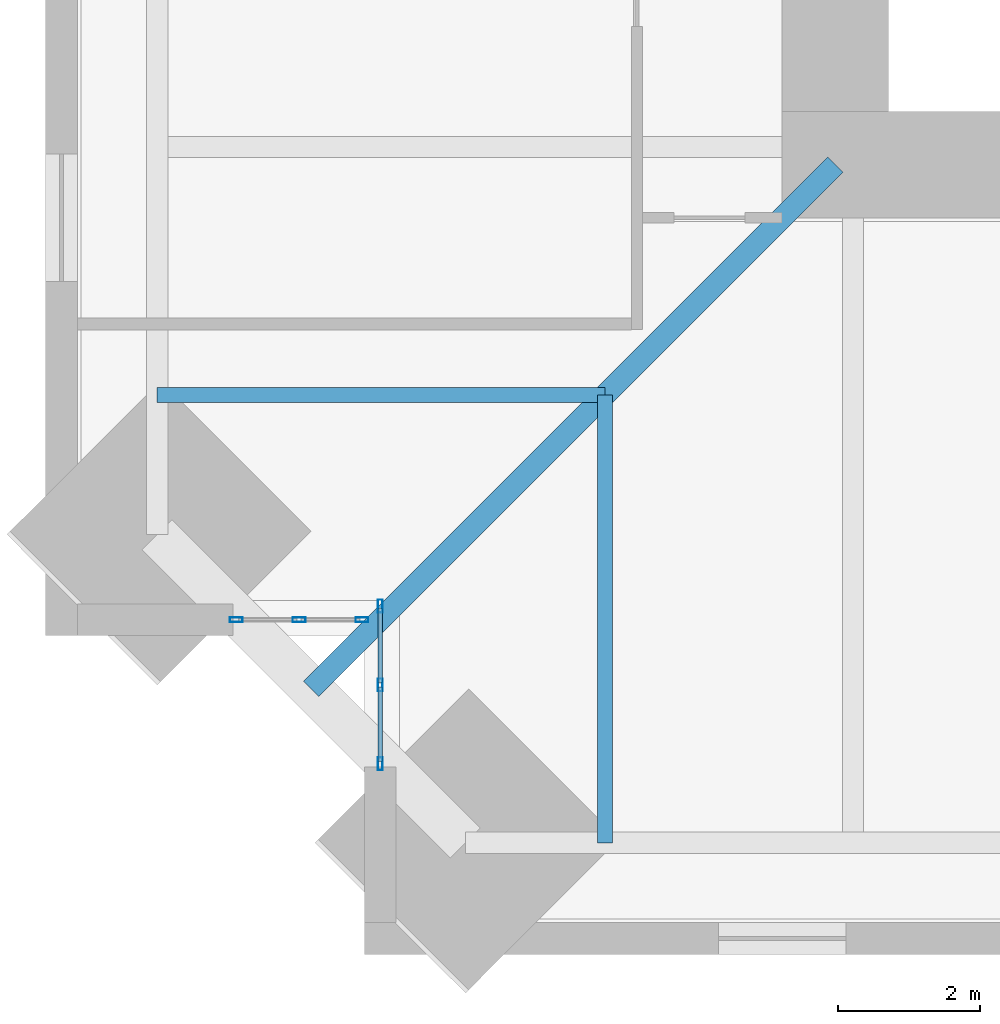
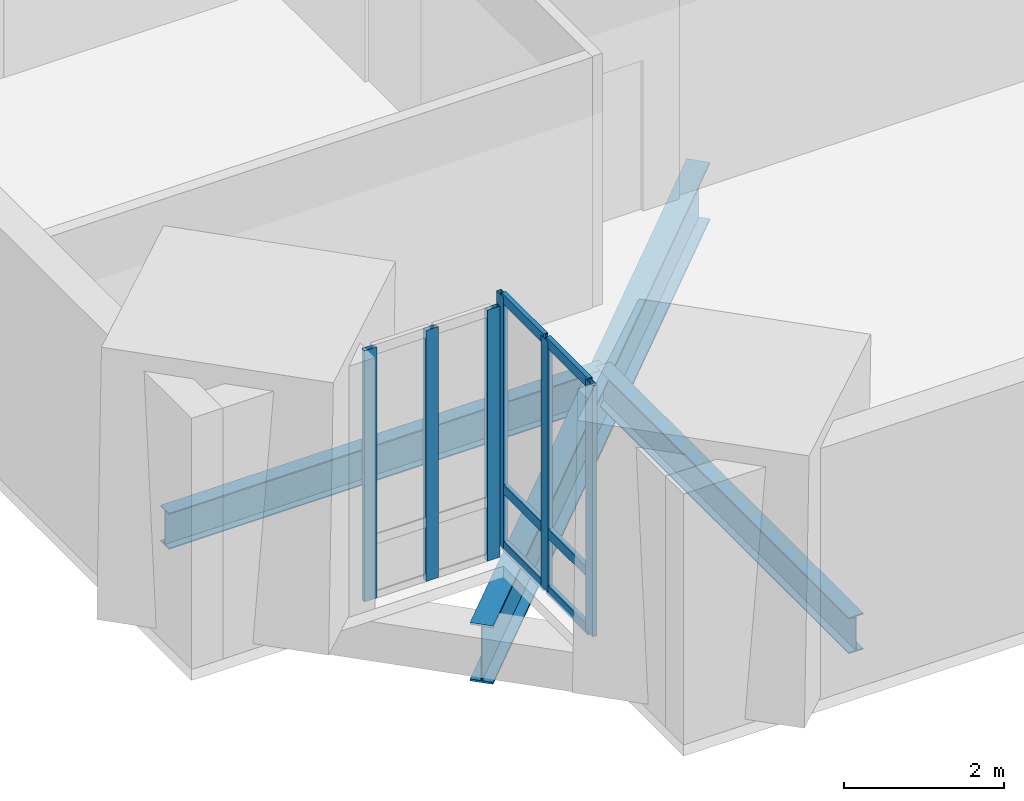
# One storey, part 2 of 18: 12 members, 3 beams, 2 elements without a shape of their own.
"""IFC4 building model written with IfcOpenShell, lengths in metres."""

from ifc_helpers import new_model, si_unit, direction, frame, origin, origin_2d, place, context, subcontext, project, spatial, hollow_rectangle, i_section, extrude, material, material_profile, profile_set, type_object, element, aggregate, save


model = new_model("IFC4")

# Units and contexts
model_context = context("Model", 3, precision=1e-05, world=origin(), true_north=direction((0.0, 1.0)))
body_context = subcontext(model_context, "Body", "Model", "MODEL_VIEW")
ifc_project = project(units=[si_unit("LENGTHUNIT", "METRE"), si_unit("AREAUNIT", "SQUARE_METRE"), si_unit("VOLUMEUNIT", "CUBIC_METRE"), si_unit("PLANEANGLEUNIT", "RADIAN"), si_unit("MASSUNIT", "GRAM", prefix="KILO")], contexts=[model_context])

# Site, building, storey
site_placement = place(None, origin())
site = spatial("IfcSite", under=ifc_project, at=site_placement, CompositionType="ELEMENT")
building_placement = place(site_placement, origin())
building = spatial("IfcBuilding", under=site, at=building_placement, Name="Peilmerk Tower", CompositionType="ELEMENT")
storey_placement = place(building_placement, frame((0.0, 0.0, 249.800048828125)))
storey = spatial("IfcBuildingStorey", under=building, at=storey_placement, Name="L55", CompositionType="ELEMENT", Elevation=249.800048828125)

# Beams
ifc_material_1 = material(Name="Steel S355", Category="steel")
ifc_material_profile_1 = material_profile(ifc_material_1, i_section(OverallWidth=0.2099609375, OverallDepth=0.550048828125, WebThickness=0.010986328125, FlangeThickness=0.01708984375, at=origin_2d()), Name="IPE 550")
ifc_profile_set_1 = profile_set([ifc_material_profile_1], Name="Steel S355")
beam_type_1 = type_object("IfcBeamType", Name="B12 IPE 550 floor beam", PredefinedType="BEAM", material=ifc_profile_set_1)
for number, where, z_axis, x_axis, name in (
    (1, (-14.5, -14.5, -0.445068359375), (0.0, -1.0, 0.0), (1.0, 0.0, 0.0), "Floor beam L55"),
    (2, (-14.5, -14.5, -0.445068359375), (-1.0, 0.0, 0.0), (0.0, -1.0, 0.0), "Floor beam L55"),
):
    element("IfcBeam", number, at=place(storey_placement, frame(where, z_axis=z_axis, x_axis=x_axis)), inside=storey, type_object=beam_type_1, Name=name, PredefinedType="BEAM", context=body_context, shape_type="SweptSolid", body=[
        extrude(i_section(OverallWidth=0.2099609375, OverallDepth=0.550048828125, WebThickness=0.010986328125, FlangeThickness=0.01708984375, at=origin_2d()), origin(), (0.0, 0.0, 1.0), 6.32421875),
    ])
ifc_material_profile_2 = material_profile(ifc_material_1, i_section(OverallWidth=0.300048828125, OverallDepth=0.889892578125, WebThickness=0.01611328125, FlangeThickness=0.030029296875, at=origin_2d()), Name="HEA 900")
ifc_profile_set_2 = profile_set([ifc_material_profile_2], Name="Steel S355")
beam_type_2 = type_object("IfcBeamType", Name="B4 HEA 900 floor beam", PredefinedType="BEAM", material=ifc_profile_set_2)
beam_placement = place(storey_placement, frame((-11.25, -11.25, -0.614990234375), z_axis=(-0.707106781187, -0.707106781187, 0.0), x_axis=(0.707106781187, -0.707106781187, 0.0)))
element("IfcBeam", 3, at=beam_placement, inside=storey, type_object=beam_type_2, Name="Corner girder L55", PredefinedType="BEAM", context=body_context, shape_type="SweptSolid", body=[
    extrude(i_section(OverallWidth=0.300048828125, OverallDepth=0.889892578125, WebThickness=0.01611328125, FlangeThickness=0.030029296875, at=origin_2d()), origin(), (0.0, 0.0, 1.0), 10.464111328125),
])

# Curtain wall, members
ifc_material_2 = material(Name="Aluminium stick curtain wall", Category="aluminium")
curtain_wall_type = type_object("IfcCurtainWallType", Name="CW4 stick curtain wall, 2250 module", PredefinedType="NOTDEFINED", material=ifc_material_2)
curtain_wall_1_placement = place(storey_placement, origin())
curtain_wall_1 = element("IfcCurtainWall", 4, at=curtain_wall_1_placement, inside=storey, type_object=curtain_wall_type, Name="Curtain wall CW4 SWA L55", PredefinedType="NOTDEFINED")
ifc_material_3 = material(Name="Aluminium EN AW-6063 T6", Category="aluminium")
ifc_material_profile_3 = material_profile(ifc_material_3, hollow_rectangle(XDim=0.06494140625, YDim=0.179931640625, WallThickness=0.0029296875, at=origin_2d()), Name="AL 180x65x3")
ifc_profile_set_3 = profile_set([ifc_material_profile_3], Name="Aluminium EN AW-6063 T6")
member_type_1 = type_object("IfcMemberType", Name="CW4-M AL 180x65x3 mullion", PredefinedType="MULLION", material=ifc_profile_set_3)
member_1_placement = place(storey_placement, frame((-17.675048828125, -17.482421875, 0.0), z_axis=(0.0, 0.0, 1.0), x_axis=(1.0, 0.0, 0.0)))
member_1 = element("IfcMember", 5, at=member_1_placement, type_object=member_type_1, Name="CW4 mullion 1", PredefinedType="MULLION", context=body_context, shape_type="SweptSolid", body=[
    extrude(hollow_rectangle(XDim=0.06494140625, YDim=0.179931640625, WallThickness=0.0029296875, at=origin_2d()), origin(), (0.0, 0.0, 1.0), 3.829833984375),
])
member_2_placement = place(storey_placement, frame((-17.675048828125, -18.59423828125, 0.0), z_axis=(0.0, 0.0, 1.0), x_axis=(1.0, 0.0, 0.0)))
member_2 = element("IfcMember", 6, at=member_2_placement, type_object=member_type_1, Name="CW4 mullion 2", PredefinedType="MULLION", context=body_context, shape_type="SweptSolid", body=[
    extrude(hollow_rectangle(XDim=0.06494140625, YDim=0.179931640625, WallThickness=0.0029296875, at=origin_2d()), origin(), (0.0, 0.0, 1.0), 3.829833984375),
])
member_3_placement = place(storey_placement, frame((-17.675048828125, -19.706298828125, 0.0), z_axis=(0.0, 0.0, 1.0), x_axis=(1.0, 0.0, 0.0)))
member_3 = element("IfcMember", 7, at=member_3_placement, type_object=member_type_1, Name="CW4 mullion 3", PredefinedType="MULLION", context=body_context, shape_type="SweptSolid", body=[
    extrude(hollow_rectangle(XDim=0.06494140625, YDim=0.179931640625, WallThickness=0.0029296875, at=origin_2d()), origin(), (0.0, 0.0, 1.0), 3.829833984375),
])

curtain_wall_2_placement = place(storey_placement, origin())
curtain_wall_2 = element("IfcCurtainWall", 8, at=curtain_wall_2_placement, inside=storey, type_object=curtain_wall_type, Name="Curtain wall CW4 SWB L55", PredefinedType="NOTDEFINED")
member_4_placement = place(storey_placement, frame((-17.9326171875, -17.675048828125, 0.0), z_axis=(0.0, 0.0, 1.0), x_axis=(0.0, -1.0, 0.0)))
member_4 = element("IfcMember", 9, at=member_4_placement, type_object=member_type_1, Name="CW4 mullion 1", PredefinedType="MULLION", context=body_context, shape_type="SweptSolid", body=[
    extrude(hollow_rectangle(XDim=0.06494140625, YDim=0.179931640625, WallThickness=0.0029296875, at=origin_2d()), origin(), (0.0, 0.0, 1.0), 3.829833984375),
])
member_5_placement = place(storey_placement, frame((-18.8193359375, -17.675048828125, 0.0), z_axis=(0.0, 0.0, 1.0), x_axis=(0.0, -1.0, 0.0)))
member_5 = element("IfcMember", 10, at=member_5_placement, type_object=member_type_1, Name="CW4 mullion 2", PredefinedType="MULLION", context=body_context, shape_type="SweptSolid", body=[
    extrude(hollow_rectangle(XDim=0.06494140625, YDim=0.179931640625, WallThickness=0.0029296875, at=origin_2d()), origin(), (0.0, 0.0, 1.0), 3.829833984375),
])
member_6_placement = place(storey_placement, frame((-19.706298828125, -17.675048828125, 0.0), z_axis=(0.0, 0.0, 1.0), x_axis=(0.0, -1.0, 0.0)))
member_6 = element("IfcMember", 11, at=member_6_placement, type_object=member_type_1, Name="CW4 mullion 3", PredefinedType="MULLION", context=body_context, shape_type="SweptSolid", body=[
    extrude(hollow_rectangle(XDim=0.06494140625, YDim=0.179931640625, WallThickness=0.0029296875, at=origin_2d()), origin(), (0.0, 0.0, 1.0), 3.829833984375),
])
aggregate(curtain_wall_2, [member_4, member_5, member_6])

# Member
ifc_material_profile_4 = material_profile(ifc_material_3, hollow_rectangle(XDim=0.06494140625, YDim=0.14990234375, WallThickness=0.0029296875, at=origin_2d()), Name="AL 150x65x3")
ifc_profile_set_4 = profile_set([ifc_material_profile_4], Name="Aluminium EN AW-6063 T6")
member_type_2 = type_object("IfcMemberType", Name="CW4-T AL 150x65x3 transom", PredefinedType="USERDEFINED", material=ifc_profile_set_4)
member_7_placement = place(storey_placement, frame((-17.675048828125, -17.514892578125, 0.032470703125), z_axis=(0.0, -1.0, 0.0), x_axis=(1.0, 0.0, 0.0)))
member_7 = element("IfcMember", 12, at=member_7_placement, type_object=member_type_2, Name="CW4 transom 1.1", ObjectType="TRANSOM", PredefinedType="USERDEFINED", context=body_context, shape_type="SweptSolid", body=[
    extrude(hollow_rectangle(XDim=0.06494140625, YDim=0.14990234375, WallThickness=0.0029296875, at=origin_2d()), origin(), (0.0, 0.0, 1.0), 1.046875),
])

member_8_placement = place(storey_placement, frame((-17.675048828125, -17.514892578125, 0.89990234375), z_axis=(0.0, -1.0, 0.0), x_axis=(1.0, 0.0, 0.0)))
member_8 = element("IfcMember", 13, at=member_8_placement, type_object=member_type_2, Name="CW4 transom 1.2", ObjectType="TRANSOM", PredefinedType="USERDEFINED", context=body_context, shape_type="SweptSolid", body=[
    extrude(hollow_rectangle(XDim=0.06494140625, YDim=0.14990234375, WallThickness=0.0029296875, at=origin_2d()), origin(), (0.0, 0.0, 1.0), 1.046875),
])

member_9_placement = place(storey_placement, frame((-17.675048828125, -17.514892578125, 3.79736328125), z_axis=(0.0, -1.0, 0.0), x_axis=(1.0, 0.0, 0.0)))
member_9 = element("IfcMember", 14, at=member_9_placement, type_object=member_type_2, Name="CW4 transom 1.3", ObjectType="TRANSOM", PredefinedType="USERDEFINED", context=body_context, shape_type="SweptSolid", body=[
    extrude(hollow_rectangle(XDim=0.06494140625, YDim=0.14990234375, WallThickness=0.0029296875, at=origin_2d()), origin(), (0.0, 0.0, 1.0), 1.046875),
])

member_10_placement = place(storey_placement, frame((-17.675048828125, -18.626953125, 0.032470703125), z_axis=(0.0, -1.0, 0.0), x_axis=(1.0, 0.0, 0.0)))
member_10 = element("IfcMember", 15, at=member_10_placement, type_object=member_type_2, Name="CW4 transom 2.1", ObjectType="TRANSOM", PredefinedType="USERDEFINED", context=body_context, shape_type="SweptSolid", body=[
    extrude(hollow_rectangle(XDim=0.06494140625, YDim=0.14990234375, WallThickness=0.0029296875, at=origin_2d()), origin(), (0.0, 0.0, 1.0), 1.046630859375),
])

member_11_placement = place(storey_placement, frame((-17.675048828125, -18.626953125, 0.89990234375), z_axis=(0.0, -1.0, 0.0), x_axis=(1.0, 0.0, 0.0)))
member_11 = element("IfcMember", 16, at=member_11_placement, type_object=member_type_2, Name="CW4 transom 2.2", ObjectType="TRANSOM", PredefinedType="USERDEFINED", context=body_context, shape_type="SweptSolid", body=[
    extrude(hollow_rectangle(XDim=0.06494140625, YDim=0.14990234375, WallThickness=0.0029296875, at=origin_2d()), origin(), (0.0, 0.0, 1.0), 1.046630859375),
])

member_12_placement = place(storey_placement, frame((-17.675048828125, -18.626953125, 3.79736328125), z_axis=(0.0, -1.0, 0.0), x_axis=(1.0, 0.0, 0.0)))
member_12 = element("IfcMember", 17, at=member_12_placement, type_object=member_type_2, Name="CW4 transom 2.3", ObjectType="TRANSOM", PredefinedType="USERDEFINED", context=body_context, shape_type="SweptSolid", body=[
    extrude(hollow_rectangle(XDim=0.06494140625, YDim=0.14990234375, WallThickness=0.0029296875, at=origin_2d()), origin(), (0.0, 0.0, 1.0), 1.046630859375),
])

aggregate(curtain_wall_1, [member_1, member_2, member_3, member_7, member_8, member_9, member_10, member_11, member_12])

save(model, "model.ifc")
